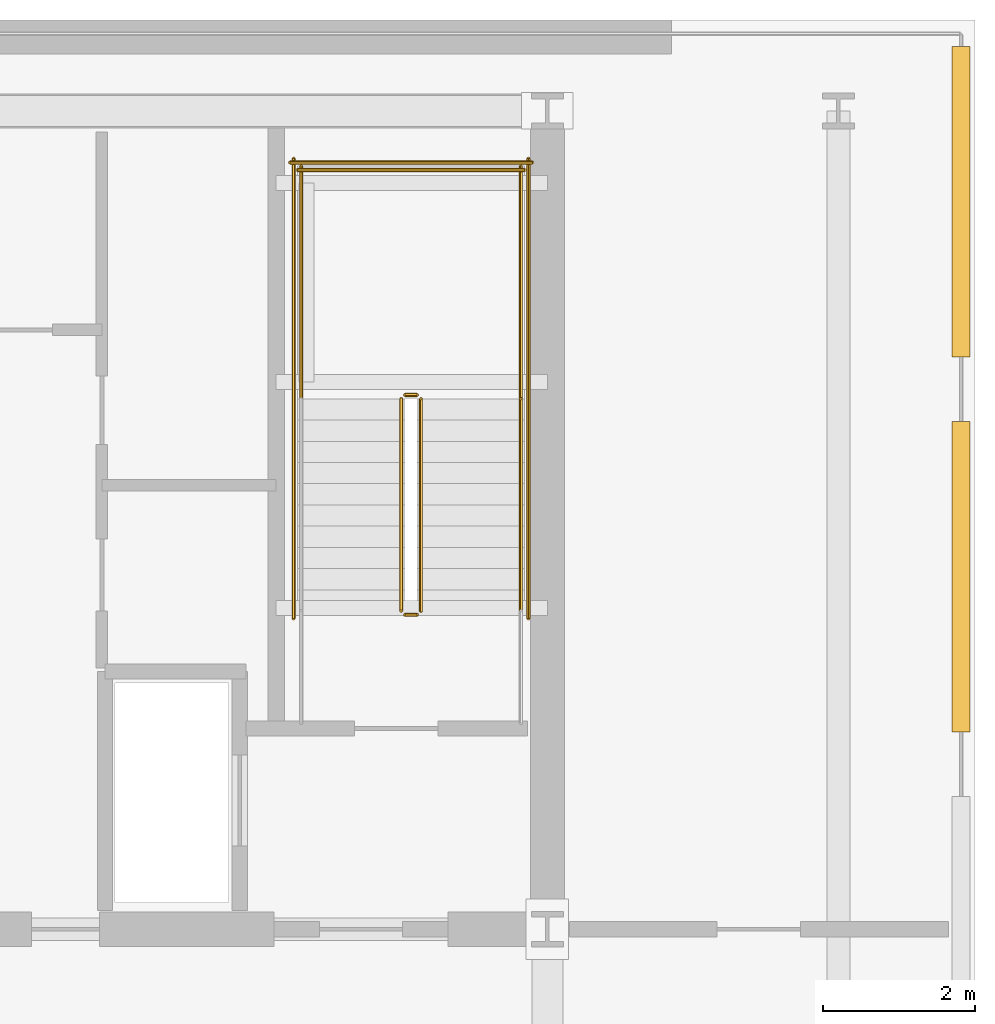
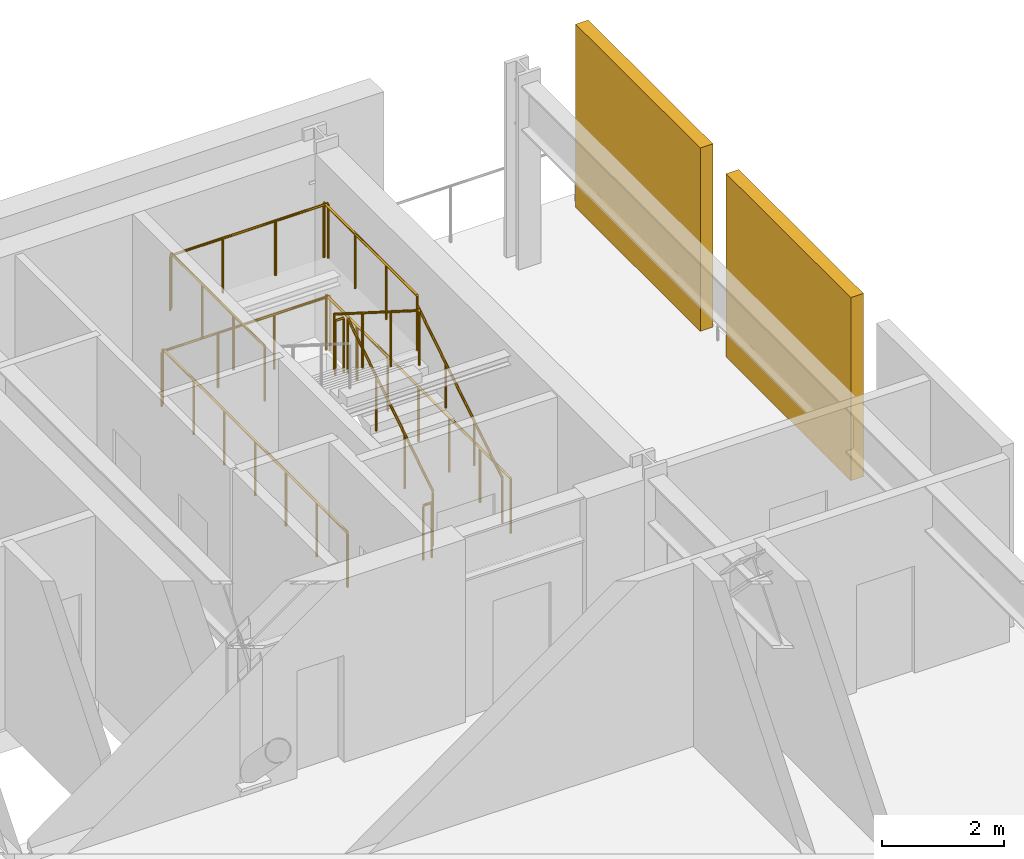
# One storey, part 8 of 8: 11 railings, 2 shading devices.
"""IFC4 building model written with IfcOpenShell, lengths in metres."""

from ifc_helpers import new_model, si_unit, direction, frame, origin, origin_2d, place, context, subcontext, project, spatial, rectangle, circle, extrude, material, layer, layer_set, type_object, element, save


model = new_model("IFC4")

# Units and contexts
model_context = context("Model", 3, precision=1e-05, world=origin(), true_north=direction((0.0, 1.0)))
body_context = subcontext(model_context, "Body", "Model", "MODEL_VIEW")
ifc_project = project(units=[si_unit("LENGTHUNIT", "METRE"), si_unit("AREAUNIT", "SQUARE_METRE"), si_unit("VOLUMEUNIT", "CUBIC_METRE"), si_unit("PLANEANGLEUNIT", "RADIAN"), si_unit("MASSUNIT", "GRAM", prefix="KILO")], contexts=[model_context])

# Site, building, storey
site_placement = place(None, origin())
site = spatial("IfcSite", under=ifc_project, at=site_placement, CompositionType="ELEMENT")
building_placement = place(site_placement, origin())
building = spatial("IfcBuilding", under=site, at=building_placement, Name="Yelkora Congress Tower", CompositionType="ELEMENT")
storey_placement = place(building_placement, frame((0.0, 0.0, 137.300048828125)))
storey = spatial("IfcBuildingStorey", under=building, at=storey_placement, Name="L37", CompositionType="ELEMENT", Elevation=137.300048828125)

# Railings
ifc_material_1 = material(Name="Painted galvanised steel stair well guard with vertical infill", Category="steel")
ifc_layer_1 = layer(ifc_material_1, 0.06005859375)
ifc_layer_set_1 = layer_set([ifc_layer_1], Name="Painted galvanised steel stair well guard with vertical infill")
railing_type_1 = type_object("IfcRailingType", Name="RAIL-STAIR-GUARD-1120", PredefinedType="GUARDRAIL", material=ifc_layer_set_1)
railing_1_placement = place(storey_placement, frame((52.090087890625, 39.60009765625, 0.17724609375)))
element("IfcRailing", 1, at=railing_1_placement, inside=storey, type_object=railing_type_1, Name="ST-02 L37 Stair Well Guardrail 1", PredefinedType="GUARDRAIL", context=body_context, shape_type="SweptSolid", body=[
    extrude(circle(Radius=0.02392578125, at=origin_2d()), frame((0.0, 0.0, 1.09619140625), z_axis=(0.0, 0.844887892834, 0.53494340686), x_axis=(-1.0, 0.0, 0.0)), (0.0, 0.0, 1.0), 3.313720703125),
    extrude(circle(Radius=0.02099609375, at=origin_2d()), origin(), (0.0, 0.0, 1.0), 1.072021484375),
    extrude(circle(Radius=0.02099609375, at=origin_2d()), frame((0.0, 0.933349609375, 0.5908203125)), (0.0, 0.0, 1.0), 1.072021484375),
    extrude(circle(Radius=0.02099609375, at=origin_2d()), frame((0.0, 1.866455078125, 1.181884765625)), (0.0, 0.0, 1.0), 1.072021484375),
    extrude(circle(Radius=0.02099609375, at=origin_2d()), frame((0.0, 2.7998046875, 1.772705078125)), (0.0, 0.0, 1.0), 1.072021484375),
])
railing_2_placement = place(storey_placement, frame((52.0400390625, 42.449951171875, 1.949951171875)))
element("IfcRailing", 2, at=railing_2_placement, inside=storey, type_object=railing_type_1, Name="ST-02 L37 Stair Well Guardrail 2", PredefinedType="GUARDRAIL", context=body_context, shape_type="SweptSolid", body=[
    extrude(circle(Radius=0.02392578125, at=origin_2d()), frame((0.0, 0.0, 1.09619140625), z_axis=(-1.0, 0.0, 0.0), x_axis=(0.0, -1.0, 0.0)), (0.0, 0.0, 1.0), 0.16015625),
    extrude(circle(Radius=0.02099609375, at=origin_2d()), origin(), (0.0, 0.0, 1.0), 1.072021484375),
    extrude(circle(Radius=0.02099609375, at=origin_2d()), frame((-0.16015625, 0.0, 0.0)), (0.0, 0.0, 1.0), 1.072021484375),
])
for number, where, name in (
    (3, (53.409912109375, 42.39990234375, 1.949951171875), "ST-02 L37 Stair Well Guardrail 3"),
    (4, (50.510009765625, 42.39990234375, 1.949951171875), "ST-02 L37 Stair Well Guardrail 4"),
):
    element("IfcRailing", number, at=place(storey_placement, frame(where)), inside=storey, type_object=railing_type_1, Name=name, PredefinedType="GUARDRAIL", context=body_context, shape_type="SweptSolid", body=[
        extrude(circle(Radius=0.02392578125, at=origin_2d()), frame((0.0, 0.0, 1.09619140625), z_axis=(0.0, 1.0, 0.0), x_axis=(-1.0, 0.0, 0.0)), (0.0, 0.0, 1.0), 3.070068359375),
        extrude(circle(Radius=0.02099609375, at=origin_2d()), origin(), (0.0, 0.0, 1.0), 1.072021484375),
        extrude(circle(Radius=0.02099609375, at=origin_2d()), frame((0.0, 1.0234375, 0.0)), (0.0, 0.0, 1.0), 1.072021484375),
        extrude(circle(Radius=0.02099609375, at=origin_2d()), frame((0.0, 2.046630859375, 0.0)), (0.0, 0.0, 1.0), 1.072021484375),
        extrude(circle(Radius=0.02099609375, at=origin_2d()), frame((0.0, 3.070068359375, 0.0)), (0.0, 0.0, 1.0), 1.072021484375),
    ])
railing_3_placement = place(storey_placement, frame((53.4599609375, 45.419921875, 1.949951171875)))
element("IfcRailing", 5, at=railing_3_placement, inside=storey, type_object=railing_type_1, Name="ST-02 L37 Stair Well Guardrail 5", PredefinedType="GUARDRAIL", context=body_context, shape_type="SweptSolid", body=[
    extrude(circle(Radius=0.02392578125, at=origin_2d()), frame((0.0, 0.0, 1.09619140625), z_axis=(-1.0, 0.0, 0.0), x_axis=(0.0, -1.0, 0.0)), (0.0, 0.0, 1.0), 3.0),
    extrude(circle(Radius=0.02099609375, at=origin_2d()), origin(), (0.0, 0.0, 1.0), 1.072021484375),
    extrude(circle(Radius=0.02099609375, at=origin_2d()), frame((-1.0, 0.0, 0.0)), (0.0, 0.0, 1.0), 1.072021484375),
    extrude(circle(Radius=0.02099609375, at=origin_2d()), frame((-2.0, 0.0, 0.0)), (0.0, 0.0, 1.0), 1.072021484375),
    extrude(circle(Radius=0.02099609375, at=origin_2d()), frame((-3.0, 0.0, 0.0)), (0.0, 0.0, 1.0), 1.072021484375),
])
railing_4_placement = place(storey_placement, frame((51.830078125, 42.39990234375, 2.127197265625)))
element("IfcRailing", 6, at=railing_4_placement, inside=storey, type_object=railing_type_1, Name="ST-02 L37 Stair Well Guardrail 6", PredefinedType="GUARDRAIL", context=body_context, shape_type="SweptSolid", body=[
    extrude(circle(Radius=0.02392578125, at=origin_2d()), frame((0.0, 0.0, 1.09619140625), z_axis=(0.0, -0.844887892834, 0.53494340686), x_axis=(1.0, 0.0, 0.0)), (0.0, 0.0, 1.0), 3.313720703125),
    extrude(circle(Radius=0.02099609375, at=origin_2d()), origin(), (0.0, 0.0, 1.0), 1.072021484375),
    extrude(circle(Radius=0.02099609375, at=origin_2d()), frame((0.0, -0.933349609375, 0.5908203125)), (0.0, 0.0, 1.0), 1.072021484375),
    extrude(circle(Radius=0.02099609375, at=origin_2d()), frame((0.0, -1.866455078125, 1.181884765625)), (0.0, 0.0, 1.0), 1.072021484375),
    extrude(circle(Radius=0.02099609375, at=origin_2d()), frame((0.0, -2.7998046875, 1.772705078125)), (0.0, 0.0, 1.0), 1.072021484375),
])
railing_5_placement = place(storey_placement, frame((52.0400390625, 39.550048828125, 0.0)))
element("IfcRailing", 7, at=railing_5_placement, inside=storey, type_object=railing_type_1, Name="ST-02 L37 Stair Well Guardrail 7", PredefinedType="GUARDRAIL", context=body_context, shape_type="SweptSolid", body=[
    extrude(circle(Radius=0.02392578125, at=origin_2d()), frame((0.0, 0.0, 1.09619140625), z_axis=(-1.0, 0.0, 0.0), x_axis=(0.0, -1.0, 0.0)), (0.0, 0.0, 1.0), 0.16015625),
    extrude(circle(Radius=0.02099609375, at=origin_2d()), origin(), (0.0, 0.0, 1.0), 1.072021484375),
    extrude(circle(Radius=0.02099609375, at=origin_2d()), frame((-0.16015625, 0.0, 0.0)), (0.0, 0.0, 1.0), 1.072021484375),
])
for number, where, name in (
    (8, (53.510009765625, 39.5, 0.0), "ST-02 L37 Stair Well Guardrail 10"),
    (9, (50.409912109375, 39.5, 0.0), "ST-02 L37 Stair Well Guardrail 11"),
):
    element("IfcRailing", number, at=place(storey_placement, frame(where)), inside=storey, type_object=railing_type_1, Name=name, PredefinedType="GUARDRAIL", context=body_context, shape_type="SweptSolid", body=[
        extrude(circle(Radius=0.02392578125, at=origin_2d()), frame((0.0, 0.0, 1.09619140625), z_axis=(0.0, 1.0, 0.0), x_axis=(-1.0, 0.0, 0.0)), (0.0, 0.0, 1.0), 6.070068359375),
        extrude(circle(Radius=0.02099609375, at=origin_2d()), origin(), (0.0, 0.0, 1.0), 1.072021484375),
        extrude(circle(Radius=0.02099609375, at=origin_2d()), frame((0.0, 1.01171875, 0.0)), (0.0, 0.0, 1.0), 1.072021484375),
        extrude(circle(Radius=0.02099609375, at=origin_2d()), frame((0.0, 2.0234375, 0.0)), (0.0, 0.0, 1.0), 1.072021484375),
        extrude(circle(Radius=0.02099609375, at=origin_2d()), frame((0.0, 3.03515625, 0.0)), (0.0, 0.0, 1.0), 1.072021484375),
        extrude(circle(Radius=0.02099609375, at=origin_2d()), frame((0.0, 4.046630859375, 0.0)), (0.0, 0.0, 1.0), 1.072021484375),
        extrude(circle(Radius=0.02099609375, at=origin_2d()), frame((0.0, 5.058349609375, 0.0)), (0.0, 0.0, 1.0), 1.072021484375),
        extrude(circle(Radius=0.02099609375, at=origin_2d()), frame((0.0, 6.070068359375, 0.0)), (0.0, 0.0, 1.0), 1.072021484375),
    ])
railing_6_placement = place(storey_placement, frame((53.56005859375, 45.52001953125, 0.0)))
element("IfcRailing", 10, at=railing_6_placement, inside=storey, type_object=railing_type_1, Name="ST-02 L37 Stair Well Guardrail 12", PredefinedType="GUARDRAIL", context=body_context, shape_type="SweptSolid", body=[
    extrude(circle(Radius=0.02392578125, at=origin_2d()), frame((0.0, 0.0, 1.09619140625), z_axis=(-1.0, 0.0, 0.0), x_axis=(0.0, -1.0, 0.0)), (0.0, 0.0, 1.0), 3.199951171875),
    extrude(circle(Radius=0.02099609375, at=origin_2d()), origin(), (0.0, 0.0, 1.0), 1.072021484375),
    extrude(circle(Radius=0.02099609375, at=origin_2d()), frame((-1.066650390625, 0.0, 0.0)), (0.0, 0.0, 1.0), 1.072021484375),
    extrude(circle(Radius=0.02099609375, at=origin_2d()), frame((-2.13330078125, 0.0, 0.0)), (0.0, 0.0, 1.0), 1.072021484375),
    extrude(circle(Radius=0.02099609375, at=origin_2d()), frame((-3.199951171875, 0.0, 0.0)), (0.0, 0.0, 1.0), 1.072021484375),
])
ifc_material_2 = material(Name="Brushed stainless steel tubular handrail", Category="steel")
ifc_layer_2 = layer(ifc_material_2, 0.050048828125)
ifc_layer_set_2 = layer_set([ifc_layer_2], Name="Brushed stainless steel tubular handrail")
railing_type_2 = type_object("IfcRailingType", Name="RAIL-STAIR-HAND-920", PredefinedType="HANDRAIL", material=ifc_layer_set_2)
railing_7_placement = place(storey_placement, frame((53.409912109375, 39.60009765625, 0.17724609375)))
element("IfcRailing", 11, at=railing_7_placement, inside=storey, type_object=railing_type_2, Name="ST-02 L37 Pitch Handrail 1", PredefinedType="HANDRAIL", context=body_context, shape_type="SweptSolid", body=[
    extrude(circle(Radius=0.02392578125, at=origin_2d()), frame((0.0, 0.0, 0.89599609375), z_axis=(0.0, 0.844887892834, 0.53494340686), x_axis=(-1.0, 0.0, 0.0)), (0.0, 0.0, 1.0), 3.313720703125),
    extrude(circle(Radius=0.02099609375, at=origin_2d()), origin(), (0.0, 0.0, 1.0), 0.871826171875),
    extrude(circle(Radius=0.02099609375, at=origin_2d()), frame((0.0, 0.933349609375, 0.5908203125)), (0.0, 0.0, 1.0), 0.871826171875),
    extrude(circle(Radius=0.02099609375, at=origin_2d()), frame((0.0, 1.866455078125, 1.181884765625)), (0.0, 0.0, 1.0), 0.871826171875),
    extrude(circle(Radius=0.02099609375, at=origin_2d()), frame((0.0, 2.7998046875, 1.772705078125)), (0.0, 0.0, 1.0), 0.871826171875),
])

# Shading devices
ifc_material_3 = material(Name="Perforated anodised aluminium louvre", Category="aluminium")
ifc_layer_3 = layer(ifc_material_3, 3.39990234375)
ifc_layer_set_3 = layer_set([ifc_layer_3], Name="Perforated anodised aluminium louvre")
shading_device_type = type_object("IfcShadingDeviceType", Name="SHD-LOUVRE-WIND", PredefinedType="JALOUSIE", material=ifc_layer_set_3)
for number, where, z_axis, x_axis, name in (
    (12, (59.219970703125, 40.050048828125, 0.0), (0.0, 0.0, 1.0), (1.0, 0.0, 0.0), "L37 Acoustic Wind-Floor Louvre Screen E4"),
    (13, (59.219970703125, 45.0, 0.0), (0.0, 0.0, 1.0), (1.0, 0.0, 0.0), "L37 Acoustic Wind-Floor Louvre Screen E5"),
):
    element("IfcShadingDevice", number, at=place(storey_placement, frame(where, z_axis=z_axis, x_axis=x_axis)), inside=storey, type_object=shading_device_type, Name=name, PredefinedType="JALOUSIE", context=body_context, shape_type="SweptSolid", body=[
        extrude(rectangle(XDim=0.239990234375, YDim=4.10009765625, at=origin_2d()), origin(), (0.0, 0.0, 1.0), 3.679931640625),
    ])

save(model, "model.ifc")
